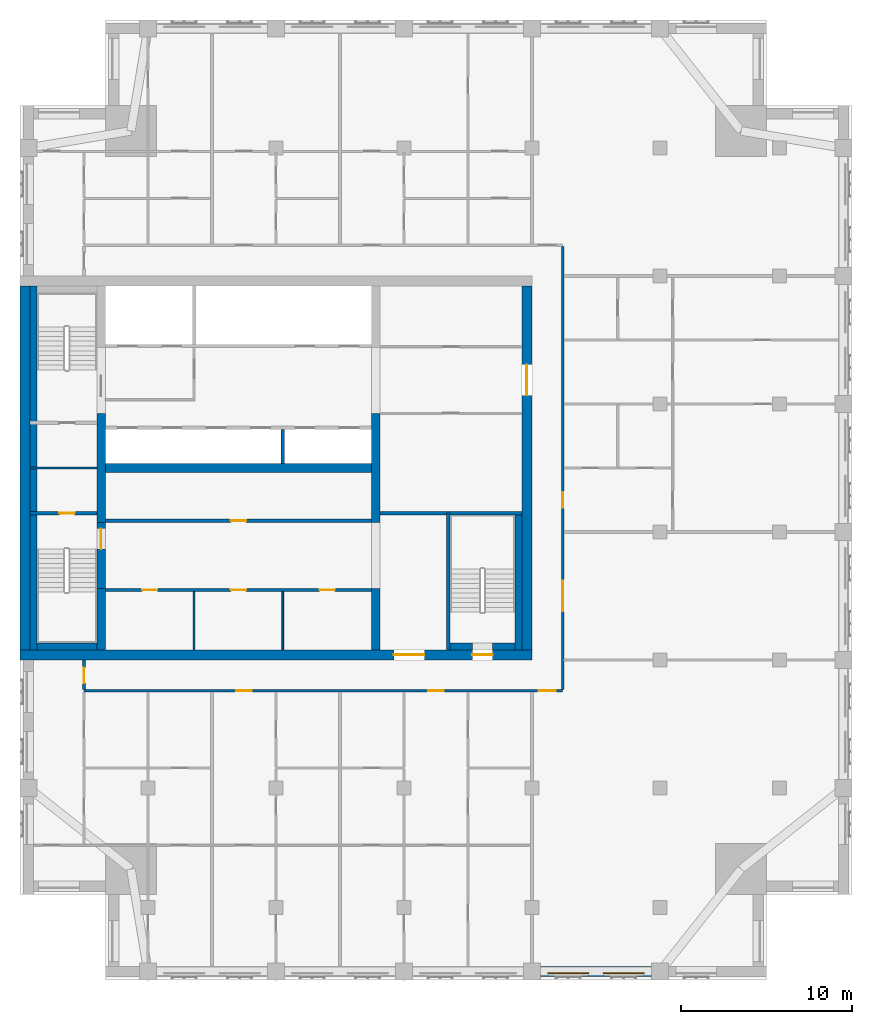
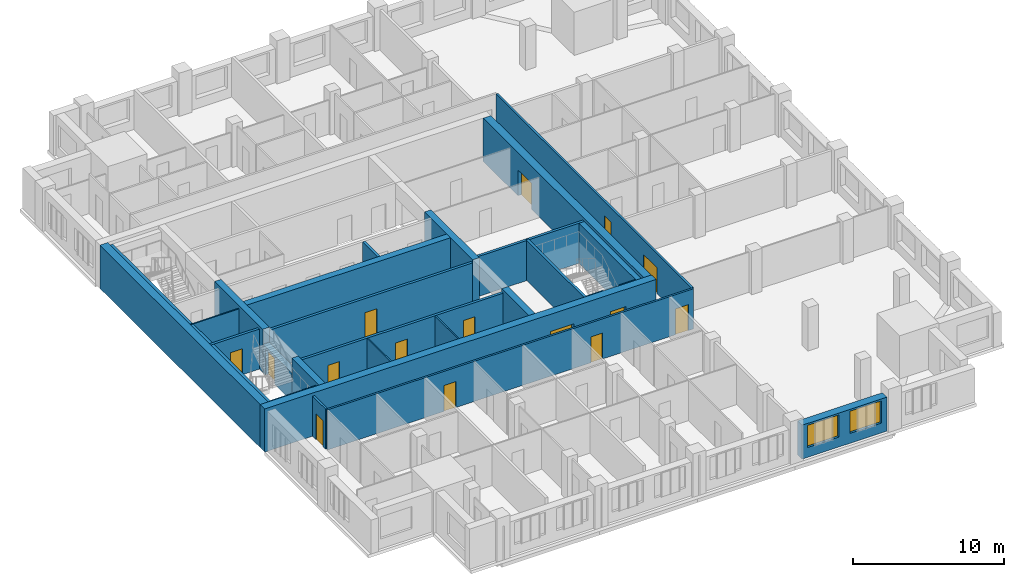
# One storey, part 4 of 10: 27 walls, 15 doors, 2 windows, 17 openings.
"""IFC4 building model written with IfcOpenShell, lengths in metres."""

import ifcopenshell
import ifcopenshell.guid

model = None  # the IFC model being written
_history = None  # IfcOwnerHistory: only IFC2X3 demands one
_inside = {}  # id of a spatial element -> (the spatial element, [elements in it])
_under = {}  # id of a project, library or spatial element -> (it, [spatial elements below it])
_declared = {}  # id of a project -> (the project, [libraries it declares])
_typed = {}  # id of a type object -> (the type object, [elements of that type])
_made_of = {}  # id of a material, layer set ... -> (it, [elements and type objects made of it])


def new_model(schema):
    """Start an empty IFC model of exactly this schema.

    Asked for "IFC4X3", IfcOpenShell would pick the latest addendum, in which some entities
    have other attributes; the version numbers below select the first issue.
    IFC2X3 requires an IfcOwnerHistory on every rooted entity: one is made here for all.
    """
    global model, _history
    if schema == "IFC4X3":
        model = ifcopenshell.file(schema_version=(4, 3, 0, 0))
    else:
        model = ifcopenshell.file(schema=schema)
    _inside.clear()
    _under.clear()
    _declared.clear()
    _typed.clear()
    _made_of.clear()
    _history = None
    if model.schema == "IFC2X3":
        org = make("IfcOrganization", Name="unknown")
        user = make(
            "IfcPersonAndOrganization",
            ThePerson=make("IfcPerson", FamilyName="unknown"),
            TheOrganization=org,
        )
        app = make(
            "IfcApplication",
            ApplicationDeveloper=org,
            Version="unknown",
            ApplicationFullName="unknown",
            ApplicationIdentifier="unknown",
        )
        _history = make(
            "IfcOwnerHistory",
            OwningUser=user,
            OwningApplication=app,
            ChangeAction="ADDED",
            CreationDate=0,
        )
    return model


def make(cls, **values):
    """One entity of the class cls with the attributes given. An attribute that is None is left unset."""
    return model.create_entity(
        cls, **{name: value for name, value in values.items() if value is not None}
    )


def rooted(cls, **values):
    """An entity with a GlobalId (a new one), such as an element, a storey or a relation."""
    return make(cls, GlobalId=ifcopenshell.guid.new(), OwnerHistory=_history, **values)


def si_unit(unit_type, name, prefix=None):
    """IfcSIUnit, for example si_unit("LENGTHUNIT", "METRE", prefix="MILLI")."""
    return make("IfcSIUnit", UnitType=unit_type, Prefix=prefix, Name=name)


def assignment(units):
    """IfcUnitAssignment: the units of a project."""
    return None if units is None else make("IfcUnitAssignment", Units=units)


def point(xyz):
    """IfcCartesianPoint."""
    return None if xyz is None else make("IfcCartesianPoint", Coordinates=xyz)


def direction(xyz):
    """IfcDirection."""
    return None if xyz is None else make("IfcDirection", DirectionRatios=xyz)


def frame(location, z_axis=None, x_axis=None):
    """IfcAxis2Placement3D, a coordinate frame: its origin and axes. An axis left out is left unset."""
    return make(
        "IfcAxis2Placement3D",
        Location=point(location),
        Axis=direction(z_axis),
        RefDirection=direction(x_axis),
    )


def frame_2d(location, x_axis=None):
    """IfcAxis2Placement2D, a coordinate frame in the plane: its origin and x axis."""
    return make(
        "IfcAxis2Placement2D", Location=point(location), RefDirection=direction(x_axis)
    )


def origin():
    """The frame at (0, 0, 0) with its axes left unset."""
    return frame((0.0, 0.0, 0.0))


def place(relative_to, where):
    """IfcLocalPlacement: puts the frame where relative to a parent placement (None: the world)."""
    return make(
        "IfcLocalPlacement", PlacementRelTo=relative_to, RelativePlacement=where
    )


def context(
    kind, dimensions, precision=None, world=None, true_north=None, identifier=None
):
    """IfcGeometricRepresentationContext, for example the 3D "Model" context."""
    return make(
        "IfcGeometricRepresentationContext",
        ContextIdentifier=identifier,
        ContextType=kind,
        CoordinateSpaceDimension=dimensions,
        Precision=precision,
        WorldCoordinateSystem=world,
        TrueNorth=true_north,
    )


def subcontext(parent, identifier, kind, view, scale=None):
    """IfcGeometricRepresentationSubContext, for example "Body" below "Model"."""
    return make(
        "IfcGeometricRepresentationSubContext",
        ContextIdentifier=identifier,
        ContextType=kind,
        ParentContext=parent,
        TargetScale=scale,
        TargetView=view,
    )


def project(units=None, contexts=None):
    """IfcProject with its units and contexts."""
    return rooted(
        "IfcProject",
        Name="project",
        RepresentationContexts=contexts,
        UnitsInContext=assignment(units),
    )


def spatial(cls, under=None, at=None, **own):
    """A site, building, storey or space (cls), placed at a placement, below another one or the project."""
    s = rooted(cls, ObjectPlacement=at, **own)
    if under is not None:
        _under.setdefault(under.id(), (under, []))[1].append(s)
    return s


def profile(cls, at=None, kind="AREA", **sizes):
    """A parametric profile (cls). Its sizes go by their IFC names, for example OverallWidth=200.0."""
    return make(cls, ProfileType=kind, Position=at, **sizes)


def rectangle(**sizes):
    """IfcRectangleProfileDef."""
    return profile("IfcRectangleProfileDef", **sizes)


def extrude(swept, where, along, depth):
    """IfcExtrudedAreaSolid: the profile swept, set in the frame where, extruded along a direction by depth."""
    return make(
        "IfcExtrudedAreaSolid",
        SweptArea=swept,
        Position=where,
        ExtrudedDirection=direction(along),
        Depth=depth,
    )


def shape(context_of_items, identifier, shape_type, items):
    """IfcShapeRepresentation: the items that make up one representation, for example the "Body"."""
    return make(
        "IfcShapeRepresentation",
        ContextOfItems=context_of_items,
        RepresentationIdentifier=identifier,
        RepresentationType=shape_type,
        Items=items,
    )


def material(Name=None, Category=None):
    """IfcMaterial."""
    return make("IfcMaterial", Name=Name, Category=Category)


def layer(
    of_material, thickness, ventilated=None, Name=None, Category=None, Priority=None
):
    """IfcMaterialLayer: one layer of a wall or slab, of a material (None: an air gap)."""
    return make(
        "IfcMaterialLayer",
        Material=of_material,
        LayerThickness=thickness,
        IsVentilated=ventilated,
        Name=Name,
        Category=Category,
        Priority=Priority,
    )


def layer_set(layers, Name=None):
    """IfcMaterialLayerSet."""
    return make("IfcMaterialLayerSet", MaterialLayers=layers, LayerSetName=Name)


def made_of(thing, what):
    """Note that an element or type object is made of a material, layer set ...; save() writes the relation."""
    if what is not None:
        _made_of.setdefault(what.id(), (what, []))[1].append(thing)
    return thing


def type_object(cls, material=None, **own):
    """A type object (cls), such as IfcWallType, which elements share."""
    return made_of(rooted(cls, **own), material)


def element(
    cls,
    number,
    at=None,
    inside=None,
    cuts=None,
    type_object=None,
    material=None,
    context=None,
    identifier="Body",
    shape_type=None,
    held_by="IfcProductDefinitionShape",
    body=None,
    shapes=None,
    **own,
):
    """One element of the class cls, such as IfcWall. Its Tag is "e" and its number.

    at: its placement. inside: the storey or other place that contains it. cuts: it is an
    opening in that element (IfcRelVoidsElement). A single representation is given by context,
    identifier, shape_type and body (its items); several are given by shapes. held_by: the class
    of the entity that holds the representations. save() writes the other relations.
    """
    e = rooted(cls, Tag="e%d" % number, ObjectPlacement=at, **own)
    if body is not None:
        shapes = [shape(context, identifier, shape_type, body)]
    if shapes is not None:
        e.Representation = make(held_by, Representations=shapes)
    if inside is not None:
        _inside.setdefault(inside.id(), (inside, []))[1].append(e)
    if cuts is not None:
        rooted(
            "IfcRelVoidsElement", RelatingBuildingElement=cuts, RelatedOpeningElement=e
        )
    if type_object is not None:
        _typed.setdefault(type_object.id(), (type_object, []))[1].append(e)
    return made_of(e, material)


def fill(opening, filler):
    """IfcRelFillsElement: the door or window that sits in an opening."""
    return rooted(
        "IfcRelFillsElement",
        RelatingOpeningElement=opening,
        RelatedBuildingElement=filler,
    )


def aggregate(whole, parts):
    """IfcRelAggregates: a whole, such as a stair, and the parts it consists of."""
    return rooted("IfcRelAggregates", RelatingObject=whole, RelatedObjects=parts)


def save(model, path):
    """Write the relations noted so far, then the file.

    IfcRelAggregates (storeys below a building ...), IfcRelContainedInSpatialStructure (elements
    in a storey), IfcRelDefinesByType, IfcRelAssociatesMaterial and IfcRelDeclares: one each for
    every whole, place, type object, material and project.
    """
    for whole, parts in _under.values():
        aggregate(whole, parts)
    for where, things in _inside.values():
        rooted(
            "IfcRelContainedInSpatialStructure",
            RelatedElements=things,
            RelatingStructure=where,
        )
    for kind, things in _typed.values():
        rooted("IfcRelDefinesByType", RelatedObjects=things, RelatingType=kind)
    for what, things in _made_of.values():
        rooted("IfcRelAssociatesMaterial", RelatedObjects=things, RelatingMaterial=what)
    for by, libraries in _declared.values():
        rooted("IfcRelDeclares", RelatingContext=by, RelatedDefinitions=libraries)
    model.write(path)


model = new_model("IFC4")

# Units and contexts
model_context = context("Model", 3, precision=1e-05, world=origin(), true_north=direction((0.0, 1.0)))
body_context = subcontext(model_context, "Body", "Model", "MODEL_VIEW")
ifc_project = project(units=[si_unit("LENGTHUNIT", "METRE"), si_unit("AREAUNIT", "SQUARE_METRE"), si_unit("VOLUMEUNIT", "CUBIC_METRE"), si_unit("PLANEANGLEUNIT", "RADIAN"), si_unit("MASSUNIT", "GRAM", prefix="KILO")], contexts=[model_context])

# Site, building, storey
site_placement = place(None, origin())
site = spatial("IfcSite", under=ifc_project, at=site_placement, CompositionType="ELEMENT")
building_placement = place(site_placement, origin())
building = spatial("IfcBuilding", under=site, at=building_placement, Name="Tamorin Gate", CompositionType="ELEMENT")
storey_placement = place(building_placement, frame((0.0, 0.0, 251.199951171875)))
storey = spatial("IfcBuildingStorey", under=building, at=storey_placement, Name="L63", CompositionType="ELEMENT", Elevation=251.199951171875)

# Wall, openings, windows
ifc_material_1 = material(Name="Precast concrete C40/50", Category="concrete")
ifc_layer_1 = layer(ifc_material_1, 0.60009765625)
ifc_layer_set_1 = layer_set([ifc_layer_1], Name="Precast concrete C40/50")
wall_type_1 = type_object("IfcWallType", Name="Board-marked concrete facade panel 600", PredefinedType="SOLIDWALL", material=ifc_layer_set_1)
wall_1_placement = place(storey_placement, frame((60.5, 41.75, 0.0), z_axis=(0.0, 0.0, 1.0), x_axis=(1.0, 0.0, 0.0)))
wall_1 = element("IfcWall", 1, at=wall_1_placement, inside=storey, type_object=wall_type_1, Name="Facade panel", PredefinedType="SOLIDWALL", context=body_context, shape_type="SweptSolid", body=[
    extrude(rectangle(XDim=6.5, YDim=0.60009765625, at=frame_2d((3.25, 0.0))), origin(), (0.0, 0.0, 1.0), 2.75),
])
opening_1_placement = place(wall_1_placement, frame((0.425048828125, 0.0, 0.800048828125)))
opening_1 = element("IfcOpeningElement", 2, at=opening_1_placement, cuts=wall_1, Name="Opening WN1", PredefinedType="OPENING", context=body_context, shape_type="SweptSolid", body=[
    extrude(rectangle(XDim=2.39990234375, YDim=1.800048828125, at=frame_2d((1.199951171875, 0.89990234375))), frame((0.0, 0.31005859375, 0.0), z_axis=(0.0, -1.0, 0.0), x_axis=(1.0, 0.0, 0.0)), (0.0, 0.0, 1.0), 0.6201171875),
])
opening_2_placement = place(wall_1_placement, frame((3.675048828125, 0.0, 0.800048828125)))
opening_2 = element("IfcOpeningElement", 3, at=opening_2_placement, cuts=wall_1, Name="Opening WN1", PredefinedType="OPENING", context=body_context, shape_type="SweptSolid", body=[
    extrude(rectangle(XDim=2.39990234375, YDim=1.800048828125, at=frame_2d((1.199951171875, 0.89990234375))), frame((0.0, 0.31005859375, 0.0), z_axis=(0.0, -1.0, 0.0), x_axis=(1.0, 0.0, 0.0)), (0.0, 0.0, 1.0), 0.6201171875),
])
ifc_material_2 = material(Name="Clear glass in aluminium frame", Category="aluminium")
window_type = type_object("IfcWindowType", Name="Deep-set window 2400x1800", PartitioningType="SINGLE_PANEL", PredefinedType="WINDOW", material=ifc_material_2)
window_1_placement = place(opening_1_placement, origin())
window_1 = element("IfcWindow", 4, at=window_1_placement, inside=storey, type_object=window_type, Name="Deep-set window", OverallHeight=1.800048828125, OverallWidth=2.39990234375, PartitioningType="SINGLE_PANEL", PredefinedType="WINDOW", context=body_context, shape_type="SweptSolid", body=[
    extrude(rectangle(XDim=2.39990234375, YDim=1.800048828125, at=frame_2d((1.199951171875, 0.89990234375))), frame((0.0, -0.070068359375, 0.0), z_axis=(0.0, -1.0, 0.0), x_axis=(1.0, 0.0, 0.0)), (0.0, 0.0, 1.0), 0.06005859375),
])
fill(opening_1, window_1)
window_2_placement = place(opening_2_placement, origin())
window_2 = element("IfcWindow", 5, at=window_2_placement, inside=storey, type_object=window_type, Name="Deep-set window", OverallHeight=1.800048828125, OverallWidth=2.39990234375, PartitioningType="SINGLE_PANEL", PredefinedType="WINDOW", context=body_context, shape_type="SweptSolid", body=[
    extrude(rectangle(XDim=2.39990234375, YDim=1.800048828125, at=frame_2d((1.199951171875, 0.89990234375))), frame((0.0, -0.070068359375, 0.0), z_axis=(0.0, -1.0, 0.0), x_axis=(1.0, 0.0, 0.0)), (0.0, 0.0, 1.0), 0.06005859375),
])
fill(opening_2, window_2)

# Wall, openings, doors
ifc_material_3 = material(Name="Gypsum board partition")
ifc_layer_2 = layer(ifc_material_3, 0.14990234375)
ifc_layer_set_2 = layer_set([ifc_layer_2], Name="Corridor wall 150")
wall_type_2 = type_object("IfcWallType", Name="Corridor wall 150", PredefinedType="PARTITIONING", material=ifc_layer_set_2)
wall_2_placement = place(storey_placement, frame((33.75, 58.199951171875, 0.0), z_axis=(0.0, 0.0, 1.0), x_axis=(1.0, 0.0, 0.0)))
wall_2 = element("IfcWall", 6, at=wall_2_placement, inside=storey, type_object=wall_type_2, Name="Corridor wall 150", PredefinedType="PARTITIONING", context=body_context, shape_type="SweptSolid", body=[
    extrude(rectangle(XDim=28.050048828125, YDim=0.14990234375, at=frame_2d((14.02490234375, 0.0))), origin(), (0.0, 0.0, 1.0), 3.25),
])
opening_3_placement = place(wall_2_placement, frame((8.925048828125, 0.0, 0.0)))
opening_3 = element("IfcOpeningElement", 7, at=opening_3_placement, cuts=wall_2, Name="Opening DR5008", PredefinedType="OPENING", context=body_context, shape_type="SweptSolid", body=[
    extrude(rectangle(XDim=0.89990234375, YDim=2.10009765625, at=frame_2d((0.449951171875, 1.050048828125))), frame((0.0, 0.0849609375, 0.0), z_axis=(0.0, -1.0, 0.0), x_axis=(1.0, 0.0, 0.0)), (0.0, 0.0, 1.0), 0.169921875),
])
opening_4_placement = place(wall_2_placement, frame((20.175048828125, 0.0, 0.0)))
opening_4 = element("IfcOpeningElement", 8, at=opening_4_placement, cuts=wall_2, Name="Opening DR5015", PredefinedType="OPENING", context=body_context, shape_type="SweptSolid", body=[
    extrude(rectangle(XDim=0.89990234375, YDim=2.10009765625, at=frame_2d((0.449951171875, 1.050048828125))), frame((0.0, 0.0849609375, 0.0), z_axis=(0.0, -1.0, 0.0), x_axis=(1.0, 0.0, 0.0)), (0.0, 0.0, 1.0), 0.169921875),
])
opening_5_placement = place(wall_2_placement, frame((26.64990234375, 0.0, 0.0)))
opening_5 = element("IfcOpeningElement", 9, at=opening_5_placement, cuts=wall_2, Name="Opening DR5021", PredefinedType="OPENING", context=body_context, shape_type="SweptSolid", body=[
    extrude(rectangle(XDim=1.0, YDim=2.10009765625, at=frame_2d((0.5, 1.050048828125))), frame((0.0, 0.0849609375, 0.0), z_axis=(0.0, -1.0, 0.0), x_axis=(1.0, 0.0, 0.0)), (0.0, 0.0, 1.0), 0.169921875),
])
ifc_material_4 = material(Name="Timber door leaf", Category="wood")
door_type_1 = type_object("IfcDoorType", Name="Door 1000 x 2100 FD30S", OperationType="NOTDEFINED", PredefinedType="DOOR", material=ifc_material_4)
door_1_placement = place(opening_5_placement, origin())
door_1 = element("IfcDoor", 10, at=door_1_placement, inside=storey, type_object=door_type_1, Name="Door DR5021", OperationType="SINGLE_SWING_RIGHT", OverallHeight=2.10009765625, OverallWidth=1.0, PredefinedType="DOOR", context=body_context, shape_type="SweptSolid", body=[
    extrude(rectangle(XDim=1.0, YDim=2.10009765625, at=frame_2d((0.5, 1.050048828125))), frame((0.0, 0.02490234375, 0.0), z_axis=(0.0, -1.0, 0.0), x_axis=(1.0, 0.0, 0.0)), (0.0, 0.0, 1.0), 0.050048828125),
])
fill(opening_5, door_1)
door_type_2 = type_object("IfcDoorType", Name="Door 900 x 2100 FD30S", OperationType="NOTDEFINED", PredefinedType="DOOR", material=ifc_material_4)
door_2_placement = place(opening_3_placement, origin())
door_2 = element("IfcDoor", 11, at=door_2_placement, inside=storey, type_object=door_type_2, Name="Door DR5008", OperationType="SINGLE_SWING_RIGHT", OverallHeight=2.10009765625, OverallWidth=0.89990234375, PredefinedType="DOOR", context=body_context, shape_type="SweptSolid", body=[
    extrude(rectangle(XDim=0.89990234375, YDim=2.10009765625, at=frame_2d((0.449951171875, 1.050048828125))), frame((0.0, 0.02490234375, 0.0), z_axis=(0.0, -1.0, 0.0), x_axis=(1.0, 0.0, 0.0)), (0.0, 0.0, 1.0), 0.050048828125),
])
fill(opening_3, door_2)
door_3_placement = place(opening_4_placement, origin())
door_3 = element("IfcDoor", 12, at=door_3_placement, inside=storey, type_object=door_type_2, Name="Door DR5015", OperationType="SINGLE_SWING_RIGHT", OverallHeight=2.10009765625, OverallWidth=0.89990234375, PredefinedType="DOOR", context=body_context, shape_type="SweptSolid", body=[
    extrude(rectangle(XDim=0.89990234375, YDim=2.10009765625, at=frame_2d((0.449951171875, 1.050048828125))), frame((0.0, 0.02490234375, 0.0), z_axis=(0.0, -1.0, 0.0), x_axis=(1.0, 0.0, 0.0)), (0.0, 0.0, 1.0), 0.050048828125),
])
fill(opening_4, door_3)

# Wall, opening, door
wall_3_placement = place(storey_placement, frame((33.75, 58.27490234375, 0.0), z_axis=(0.0, 0.0, 1.0), x_axis=(0.0, 1.0, 0.0)))
wall_3 = element("IfcWall", 13, at=wall_3_placement, inside=storey, type_object=wall_type_2, Name="Corridor wall 150", PredefinedType="PARTITIONING", context=body_context, shape_type="SweptSolid", body=[
    extrude(rectangle(XDim=1.72509765625, YDim=0.14990234375, at=frame_2d((0.862548828125, 0.0))), origin(), (0.0, 0.0, 1.0), 3.25),
])
opening_6_placement = place(wall_3_placement, frame((0.375, 0.0, 0.0)))
opening_6 = element("IfcOpeningElement", 14, at=opening_6_placement, cuts=wall_3, Name="Opening DR5001", PredefinedType="OPENING", context=body_context, shape_type="SweptSolid", body=[
    extrude(rectangle(XDim=0.89990234375, YDim=2.10009765625, at=frame_2d((0.449951171875, 1.050048828125))), frame((0.0, 0.0849609375, 0.0), z_axis=(0.0, -1.0, 0.0), x_axis=(1.0, 0.0, 0.0)), (0.0, 0.0, 1.0), 0.169921875),
])
door_4_placement = place(opening_6_placement, origin())
door_4 = element("IfcDoor", 15, at=door_4_placement, inside=storey, type_object=door_type_2, Name="Door DR5001", OperationType="SINGLE_SWING_RIGHT", OverallHeight=2.10009765625, OverallWidth=0.89990234375, PredefinedType="DOOR", context=body_context, shape_type="SweptSolid", body=[
    extrude(rectangle(XDim=0.89990234375, YDim=2.10009765625, at=frame_2d((0.449951171875, 1.050048828125))), frame((0.0, 0.02490234375, 0.0), z_axis=(0.0, -1.0, 0.0), x_axis=(1.0, 0.0, 0.0)), (0.0, 0.0, 1.0), 0.050048828125),
])
fill(opening_6, door_4)

# Wall, openings, doors
wall_4_placement = place(storey_placement, frame((61.800048828125, 58.27490234375, 0.0), z_axis=(0.0, 0.0, 1.0), x_axis=(0.0, 1.0, 0.0)))
wall_4 = element("IfcWall", 16, at=wall_4_placement, inside=storey, type_object=wall_type_2, Name="Corridor wall 150", PredefinedType="PARTITIONING", context=body_context, shape_type="SweptSolid", body=[
    extrude(rectangle(XDim=25.9501953125, YDim=0.14990234375, at=frame_2d((12.97509765625, 0.0))), origin(), (0.0, 0.0, 1.0), 3.25),
])
opening_7_placement = place(wall_4_placement, frame((4.574951171875, 0.0, 0.0)))
opening_7 = element("IfcOpeningElement", 17, at=opening_7_placement, cuts=wall_4, Name="Opening DR5041", PredefinedType="OPENING", context=body_context, shape_type="SweptSolid", body=[
    extrude(rectangle(XDim=1.800048828125, YDim=2.10009765625, at=frame_2d((0.89990234375, 1.050048828125))), frame((0.0, 0.0849609375, 0.0), z_axis=(0.0, -1.0, 0.0), x_axis=(1.0, 0.0, 0.0)), (0.0, 0.0, 1.0), 0.169921875),
])
opening_8_placement = place(wall_4_placement, frame((10.64990234375, 0.0, 0.0)))
opening_8 = element("IfcOpeningElement", 18, at=opening_8_placement, cuts=wall_4, Name="Opening DR5042", PredefinedType="OPENING", context=body_context, shape_type="SweptSolid", body=[
    extrude(rectangle(XDim=0.89990234375, YDim=2.10009765625, at=frame_2d((0.449951171875, 1.050048828125))), frame((0.0, 0.0849609375, 0.0), z_axis=(0.0, -1.0, 0.0), x_axis=(1.0, 0.0, 0.0)), (0.0, 0.0, 1.0), 0.169921875),
])
door_type_3 = type_object("IfcDoorType", Name="Door 1800 x 2100 FD30S", OperationType="DOUBLE_DOOR_SINGLE_SWING", PredefinedType="DOOR", material=ifc_material_4)
door_5_placement = place(opening_7_placement, origin())
door_5 = element("IfcDoor", 19, at=door_5_placement, inside=storey, type_object=door_type_3, Name="Door DR5041", OperationType="DOUBLE_DOOR_SINGLE_SWING", OverallHeight=2.10009765625, OverallWidth=1.800048828125, PredefinedType="DOOR", context=body_context, shape_type="SweptSolid", body=[
    extrude(rectangle(XDim=1.800048828125, YDim=2.10009765625, at=frame_2d((0.89990234375, 1.050048828125))), frame((0.0, 0.02490234375, 0.0), z_axis=(0.0, -1.0, 0.0), x_axis=(1.0, 0.0, 0.0)), (0.0, 0.0, 1.0), 0.050048828125),
])
fill(opening_7, door_5)
door_6_placement = place(opening_8_placement, origin())
door_6 = element("IfcDoor", 20, at=door_6_placement, inside=storey, type_object=door_type_2, Name="Door DR5042", OperationType="SINGLE_SWING_RIGHT", OverallHeight=2.10009765625, OverallWidth=0.89990234375, PredefinedType="DOOR", context=body_context, shape_type="SweptSolid", body=[
    extrude(rectangle(XDim=0.89990234375, YDim=2.10009765625, at=frame_2d((0.449951171875, 1.050048828125))), frame((0.0, 0.02490234375, 0.0), z_axis=(0.0, -1.0, 0.0), x_axis=(1.0, 0.0, 0.0)), (0.0, 0.0, 1.0), 0.050048828125),
])
fill(opening_8, door_6)

# Walls
ifc_material_5 = material(Name="Concrete C32/40", Category="concrete")
ifc_layer_3 = layer(ifc_material_5, 0.199951171875)
ifc_layer_set_3 = layer_set([ifc_layer_3], Name="Lift shaft wall 200 EI 120")
wall_type_3 = type_object("IfcWallType", Name="Lift shaft wall 200 EI 120", PredefinedType="SOLIDWALL", material=ifc_layer_set_3)
wall_5_placement = place(storey_placement, frame((45.39990234375, 71.5, 0.0), z_axis=(0.0, 0.0, 1.0), x_axis=(0.0, 1.0, 0.0)))
element("IfcWall", 21, at=wall_5_placement, inside=storey, type_object=wall_type_3, Name="Lift shaft wall", PredefinedType="SOLIDWALL", context=body_context, shape_type="SweptSolid", body=[
    extrude(rectangle(XDim=2.0, YDim=0.199951171875, at=frame_2d((1.0, 0.0))), origin(), (0.0, 0.0, 1.0), 3.5),
])
ifc_material_6 = material(Name="Concrete C50/60", Category="concrete")
ifc_layer_4 = layer(ifc_material_6, 0.5)
ifc_layer_set_4 = layer_set([ifc_layer_4], Name="RC core internal wall 500 C50/60")
wall_type_4 = type_object("IfcWallType", Name="RC core internal wall 500 C50/60", PredefinedType="SHEAR", material=ifc_layer_set_4)
wall_6_placement = place(storey_placement, frame((35.0, 71.25, 0.0), z_axis=(0.0, 0.0, 1.0), x_axis=(1.0, 0.0, 0.0)))
element("IfcWall", 22, at=wall_6_placement, inside=storey, type_object=wall_type_4, Name="Core spine wall L63", PredefinedType="SHEAR", context=body_context, shape_type="SweptSolid", body=[
    extrude(rectangle(XDim=15.60009765625, YDim=0.5, at=frame_2d((7.800048828125, 0.0))), origin(), (0.0, 0.0, 1.0), 3.5),
])
wall_7_placement = place(storey_placement, frame((34.75, 60.60009765625, 0.0), z_axis=(0.0, 0.0, 1.0), x_axis=(0.0, 1.0, 0.0)))
element("IfcWall", 23, at=wall_7_placement, inside=storey, type_object=wall_type_4, Name="Core cross wall L63", PredefinedType="SHEAR", context=body_context, shape_type="SweptSolid", body=[
    extrude(rectangle(XDim=3.599853515625, YDim=0.5, at=frame_2d((1.7998046875, 0.0))), origin(), (0.0, 0.0, 1.0), 3.5),
])
wall_8_placement = place(storey_placement, frame((34.75, 68.050048828125, 0.0), z_axis=(0.0, 0.0, 1.0), x_axis=(0.0, 1.0, 0.0)))
element("IfcWall", 24, at=wall_8_placement, inside=storey, type_object=wall_type_4, Name="Core cross wall L63", PredefinedType="SHEAR", context=body_context, shape_type="SweptSolid", body=[
    extrude(rectangle(XDim=6.39990234375, YDim=0.5, at=frame_2d((3.199951171875, 0.0))), origin(), (0.0, 0.0, 1.0), 3.5),
])
wall_9_placement = place(storey_placement, frame((50.85009765625, 60.60009765625, 0.0), z_axis=(0.0, 0.0, 1.0), x_axis=(0.0, 1.0, 0.0)))
element("IfcWall", 25, at=wall_9_placement, inside=storey, type_object=wall_type_4, Name="Core cross wall L63", PredefinedType="SHEAR", context=body_context, shape_type="SweptSolid", body=[
    extrude(rectangle(XDim=3.599853515625, YDim=0.5, at=frame_2d((1.7998046875, 0.0))), origin(), (0.0, 0.0, 1.0), 3.5),
])
wall_10_placement = place(storey_placement, frame((50.85009765625, 68.050048828125, 0.0), z_axis=(0.0, 0.0, 1.0), x_axis=(0.0, 1.0, 0.0)))
element("IfcWall", 26, at=wall_10_placement, inside=storey, type_object=wall_type_4, Name="Core cross wall L63", PredefinedType="SHEAR", context=body_context, shape_type="SweptSolid", body=[
    extrude(rectangle(XDim=6.39990234375, YDim=0.5, at=frame_2d((3.199951171875, 0.0))), origin(), (0.0, 0.0, 1.0), 3.5),
])

# Wall, openings, doors
ifc_layer_5 = layer(ifc_material_6, 0.60009765625)
ifc_layer_set_5 = layer_set([ifc_layer_5], Name="RC core wall 600 C50/60")
wall_type_5 = type_object("IfcWallType", Name="RC core wall 600 C50/60", PredefinedType="SHEAR", material=ifc_layer_set_5)
wall_11_placement = place(storey_placement, frame((30.0, 60.300048828125, 0.0), z_axis=(0.0, 0.0, 1.0), x_axis=(1.0, 0.0, 0.0)))
wall_11 = element("IfcWall", 27, at=wall_11_placement, inside=storey, type_object=wall_type_5, Name="Core wall L63", PredefinedType="SHEAR", context=body_context, shape_type="SweptSolid", body=[
    extrude(rectangle(XDim=30.0, YDim=0.60009765625, at=frame_2d((15.0, 0.0))), origin(), (0.0, 0.0, 1.0), 3.5),
])
opening_9_placement = place(wall_11_placement, frame((21.89990234375, 0.0, 0.0)))
opening_9 = element("IfcOpeningElement", 28, at=opening_9_placement, cuts=wall_11, Name="Opening DE1", PredefinedType="OPENING", context=body_context, shape_type="SweptSolid", body=[
    extrude(rectangle(XDim=1.800048828125, YDim=2.10009765625, at=frame_2d((0.89990234375, 1.050048828125))), frame((0.0, 0.31005859375, 0.0), z_axis=(0.0, -1.0, 0.0), x_axis=(1.0, 0.0, 0.0)), (0.0, 0.0, 1.0), 0.6201171875),
])
opening_10_placement = place(wall_11_placement, frame((26.5, 0.0, 0.0)))
opening_10 = element("IfcOpeningElement", 29, at=opening_10_placement, cuts=wall_11, Name="Opening DS1", PredefinedType="OPENING", context=body_context, shape_type="SweptSolid", body=[
    extrude(rectangle(XDim=1.199951171875, YDim=2.10009765625, at=frame_2d((0.60009765625, 1.050048828125))), frame((0.0, 0.31005859375, 0.0), z_axis=(0.0, -1.0, 0.0), x_axis=(1.0, 0.0, 0.0)), (0.0, 0.0, 1.0), 0.6201171875),
])
ifc_material_7 = material(Name="Steel fire door", Category="steel")
door_type_4 = type_object("IfcDoorType", Name="Lobby exit double door 1800 x 2100 EI 60", OperationType="DOUBLE_DOOR_SINGLE_SWING", PredefinedType="DOOR", material=ifc_material_7)
door_7_placement = place(opening_9_placement, origin())
door_7 = element("IfcDoor", 30, at=door_7_placement, inside=storey, type_object=door_type_4, Name="Lift lobby A exit door", OperationType="DOUBLE_DOOR_SINGLE_SWING", OverallHeight=2.10009765625, OverallWidth=1.800048828125, PredefinedType="DOOR", context=body_context, shape_type="SweptSolid", body=[
    extrude(rectangle(XDim=1.800048828125, YDim=2.10009765625, at=frame_2d((0.89990234375, 1.050048828125))), frame((0.0, 0.02490234375, 0.0), z_axis=(0.0, -1.0, 0.0), x_axis=(1.0, 0.0, 0.0)), (0.0, 0.0, 1.0), 0.050048828125),
])
fill(opening_9, door_7)
door_type_5 = type_object("IfcDoorType", Name="Stair door 1200 x 2100 EI 90", OperationType="SINGLE_SWING_LEFT", PredefinedType="DOOR", material=ifc_material_7)
door_8_placement = place(opening_10_placement, origin())
door_8 = element("IfcDoor", 31, at=door_8_placement, inside=storey, type_object=door_type_5, Name="ST3 door", OperationType="SINGLE_SWING_LEFT", OverallHeight=2.10009765625, OverallWidth=1.199951171875, PredefinedType="DOOR", context=body_context, shape_type="SweptSolid", body=[
    extrude(rectangle(XDim=1.199951171875, YDim=2.10009765625, at=frame_2d((0.60009765625, 1.050048828125))), frame((0.0, 0.02490234375, 0.0), z_axis=(0.0, -1.0, 0.0), x_axis=(1.0, 0.0, 0.0)), (0.0, 0.0, 1.0), 0.050048828125),
])
fill(opening_10, door_8)

# Wall
wall_12_placement = place(storey_placement, frame((30.300048828125, 60.60009765625, 0.0), z_axis=(0.0, 0.0, 1.0), x_axis=(0.0, 1.0, 0.0)))
element("IfcWall", 32, at=wall_12_placement, inside=storey, type_object=wall_type_5, Name="Core wall L63", PredefinedType="SHEAR", context=body_context, shape_type="SweptSolid", body=[
    extrude(rectangle(XDim=21.2998046875, YDim=0.60009765625, at=frame_2d((10.64990234375, 0.0))), origin(), (0.0, 0.0, 1.0), 3.5),
])

# Wall, opening, door
wall_13_placement = place(storey_placement, frame((59.699951171875, 60.60009765625, 0.0), z_axis=(0.0, 0.0, 1.0), x_axis=(0.0, 1.0, 0.0)))
wall_13 = element("IfcWall", 33, at=wall_13_placement, inside=storey, type_object=wall_type_5, Name="Core wall L63", PredefinedType="SHEAR", context=body_context, shape_type="SweptSolid", body=[
    extrude(rectangle(XDim=21.2998046875, YDim=0.60009765625, at=frame_2d((10.64990234375, 0.0))), origin(), (0.0, 0.0, 1.0), 3.5),
])
opening_11_placement = place(wall_13_placement, frame((14.89990234375, 0.0, 0.0)))
opening_11 = element("IfcOpeningElement", 34, at=opening_11_placement, cuts=wall_13, Name="Opening DE1", PredefinedType="OPENING", context=body_context, shape_type="SweptSolid", body=[
    extrude(rectangle(XDim=1.800048828125, YDim=2.10009765625, at=frame_2d((0.89990234375, 1.050048828125))), frame((0.0, 0.31005859375, 0.0), z_axis=(0.0, -1.0, 0.0), x_axis=(1.0, 0.0, 0.0)), (0.0, 0.0, 1.0), 0.6201171875),
])
door_9_placement = place(opening_11_placement, origin())
door_9 = element("IfcDoor", 35, at=door_9_placement, inside=storey, type_object=door_type_4, Name="Lift lobby B exit door", OperationType="DOUBLE_DOOR_SINGLE_SWING", OverallHeight=2.10009765625, OverallWidth=1.800048828125, PredefinedType="DOOR", context=body_context, shape_type="SweptSolid", body=[
    extrude(rectangle(XDim=1.800048828125, YDim=2.10009765625, at=frame_2d((0.89990234375, 1.050048828125))), frame((0.0, 0.02490234375, 0.0), z_axis=(0.0, -1.0, 0.0), x_axis=(1.0, 0.0, 0.0)), (0.0, 0.0, 1.0), 0.050048828125),
])
fill(opening_11, door_9)

# Wall
ifc_material_8 = material(Name="Fire-rated gypsum board partition")
ifc_layer_6 = layer(ifc_material_8, 0.10009765625)
ifc_layer_set_6 = layer_set([ifc_layer_6], Name="Riser partition 100 EI 120")
wall_type_6 = type_object("IfcWallType", Name="Riser partition 100 EI 120", PredefinedType="PARTITIONING", material=ifc_layer_set_6)
wall_14_placement = place(storey_placement, frame((30.60009765625, 71.25, 0.0), z_axis=(0.0, 0.0, 1.0), x_axis=(1.0, 0.0, 0.0)))
element("IfcWall", 36, at=wall_14_placement, inside=storey, type_object=wall_type_6, Name="Riser partition", PredefinedType="PARTITIONING", context=body_context, shape_type="SweptSolid", body=[
    extrude(rectangle(XDim=3.89990234375, YDim=0.10009765625, at=frame_2d((1.949951171875, 0.0))), origin(), (0.0, 0.0, 1.0), 3.25),
])

# Wall, openings, doors
ifc_layer_7 = layer(ifc_material_3, 0.199951171875)
ifc_layer_set_7 = layer_set([ifc_layer_7], Name="Service room face wall 200 EI 60")
wall_type_7 = type_object("IfcWallType", Name="Service room face wall 200 EI 60", PredefinedType="PARTITIONING", material=ifc_layer_set_7)
wall_15_placement = place(storey_placement, frame((35.0, 64.10009765625, 0.0), z_axis=(0.0, 0.0, 1.0), x_axis=(1.0, 0.0, 0.0)))
wall_15 = element("IfcWall", 37, at=wall_15_placement, inside=storey, type_object=wall_type_7, Name="Service room face wall", PredefinedType="PARTITIONING", context=body_context, shape_type="SweptSolid", body=[
    extrude(rectangle(XDim=15.60009765625, YDim=0.199951171875, at=frame_2d((7.800048828125, 0.0))), origin(), (0.0, 0.0, 1.0), 3.25),
])
opening_12_placement = place(wall_15_placement, frame((2.14990234375, 0.0, 0.0)))
opening_12 = element("IfcOpeningElement", 38, at=opening_12_placement, cuts=wall_15, Name="Opening DK1", PredefinedType="OPENING", context=body_context, shape_type="SweptSolid", body=[
    extrude(rectangle(XDim=0.89990234375, YDim=2.10009765625, at=frame_2d((0.449951171875, 1.050048828125))), frame((0.0, 0.10986328125, 0.0), z_axis=(0.0, -1.0, 0.0), x_axis=(1.0, 0.0, 0.0)), (0.0, 0.0, 1.0), 0.219970703125),
])
opening_13_placement = place(wall_15_placement, frame((7.35009765625, 0.0, 0.0)))
opening_13 = element("IfcOpeningElement", 39, at=opening_13_placement, cuts=wall_15, Name="Opening DK1", PredefinedType="OPENING", context=body_context, shape_type="SweptSolid", body=[
    extrude(rectangle(XDim=0.89990234375, YDim=2.10009765625, at=frame_2d((0.449951171875, 1.050048828125))), frame((0.0, 0.10986328125, 0.0), z_axis=(0.0, -1.0, 0.0), x_axis=(1.0, 0.0, 0.0)), (0.0, 0.0, 1.0), 0.219970703125),
])
opening_14_placement = place(wall_15_placement, frame((12.550048828125, 0.0, 0.0)))
opening_14 = element("IfcOpeningElement", 40, at=opening_14_placement, cuts=wall_15, Name="Opening DK1", PredefinedType="OPENING", context=body_context, shape_type="SweptSolid", body=[
    extrude(rectangle(XDim=0.89990234375, YDim=2.10009765625, at=frame_2d((0.449951171875, 1.050048828125))), frame((0.0, 0.10986328125, 0.0), z_axis=(0.0, -1.0, 0.0), x_axis=(1.0, 0.0, 0.0)), (0.0, 0.0, 1.0), 0.219970703125),
])
ifc_material_9 = material(Name="Timber fire door", Category="wood")
door_type_6 = type_object("IfcDoorType", Name="Service room door 900 x 2100 EI 60", OperationType="SINGLE_SWING_LEFT", PredefinedType="DOOR", material=ifc_material_9)
door_10_placement = place(opening_12_placement, origin())
door_10 = element("IfcDoor", 41, at=door_10_placement, inside=storey, type_object=door_type_6, Name="Door Valet room", OperationType="SINGLE_SWING_LEFT", OverallHeight=2.10009765625, OverallWidth=0.89990234375, PredefinedType="DOOR", context=body_context, shape_type="SweptSolid", body=[
    extrude(rectangle(XDim=0.89990234375, YDim=2.10009765625, at=frame_2d((0.449951171875, 1.050048828125))), frame((0.0, 0.02490234375, 0.0), z_axis=(0.0, -1.0, 0.0), x_axis=(1.0, 0.0, 0.0)), (0.0, 0.0, 1.0), 0.050048828125),
])
fill(opening_12, door_10)
door_11_placement = place(opening_13_placement, origin())
door_11 = element("IfcDoor", 42, at=door_11_placement, inside=storey, type_object=door_type_6, Name="Door Luggage store", OperationType="SINGLE_SWING_RIGHT", OverallHeight=2.10009765625, OverallWidth=0.89990234375, PredefinedType="DOOR", context=body_context, shape_type="SweptSolid", body=[
    extrude(rectangle(XDim=0.89990234375, YDim=2.10009765625, at=frame_2d((0.449951171875, 1.050048828125))), frame((0.0, 0.02490234375, 0.0), z_axis=(0.0, -1.0, 0.0), x_axis=(1.0, 0.0, 0.0)), (0.0, 0.0, 1.0), 0.050048828125),
])
fill(opening_13, door_11)
door_12_placement = place(opening_14_placement, origin())
door_12 = element("IfcDoor", 43, at=door_12_placement, inside=storey, type_object=door_type_6, Name="Door Cleaner's store", OperationType="SINGLE_SWING_LEFT", OverallHeight=2.10009765625, OverallWidth=0.89990234375, PredefinedType="DOOR", context=body_context, shape_type="SweptSolid", body=[
    extrude(rectangle(XDim=0.89990234375, YDim=2.10009765625, at=frame_2d((0.449951171875, 1.050048828125))), frame((0.0, 0.02490234375, 0.0), z_axis=(0.0, -1.0, 0.0), x_axis=(1.0, 0.0, 0.0)), (0.0, 0.0, 1.0), 0.050048828125),
])
fill(opening_14, door_12)

# Wall, opening, door
wall_16_placement = place(storey_placement, frame((35.0, 68.14990234375, 0.0), z_axis=(0.0, 0.0, 1.0), x_axis=(1.0, 0.0, 0.0)))
wall_16 = element("IfcWall", 44, at=wall_16_placement, inside=storey, type_object=wall_type_7, Name="Service room face wall", PredefinedType="PARTITIONING", context=body_context, shape_type="SweptSolid", body=[
    extrude(rectangle(XDim=15.60009765625, YDim=0.199951171875, at=frame_2d((7.800048828125, 0.0))), origin(), (0.0, 0.0, 1.0), 3.25),
])
opening_15_placement = place(wall_16_placement, frame((7.35009765625, 0.0, 0.0)))
opening_15 = element("IfcOpeningElement", 45, at=opening_15_placement, cuts=wall_16, Name="Opening DK1", PredefinedType="OPENING", context=body_context, shape_type="SweptSolid", body=[
    extrude(rectangle(XDim=0.89990234375, YDim=2.10009765625, at=frame_2d((0.449951171875, 1.050048828125))), frame((0.0, 0.10986328125, 0.0), z_axis=(0.0, -1.0, 0.0), x_axis=(1.0, 0.0, 0.0)), (0.0, 0.0, 1.0), 0.219970703125),
])
door_13_placement = place(opening_15_placement, origin())
door_13 = element("IfcDoor", 46, at=door_13_placement, inside=storey, type_object=door_type_6, Name="Door Housekeeping and maintenance store", OperationType="SINGLE_SWING_LEFT", OverallHeight=2.10009765625, OverallWidth=0.89990234375, PredefinedType="DOOR", context=body_context, shape_type="SweptSolid", body=[
    extrude(rectangle(XDim=0.89990234375, YDim=2.10009765625, at=frame_2d((0.449951171875, 1.050048828125))), frame((0.0, 0.02490234375, 0.0), z_axis=(0.0, -1.0, 0.0), x_axis=(1.0, 0.0, 0.0)), (0.0, 0.0, 1.0), 0.050048828125),
])
fill(opening_15, door_13)

# Walls
ifc_layer_8 = layer(ifc_material_3, 0.10009765625)
ifc_layer_set_8 = layer_set([ifc_layer_8], Name="Service room partition 100 EI 60")
wall_type_8 = type_object("IfcWallType", Name="Service room partition 100 EI 60", PredefinedType="PARTITIONING", material=ifc_layer_set_8)
for number, where, z_axis, x_axis, name in (
    (47, (40.199951171875, 60.60009765625, 0.0), (0.0, 0.0, 1.0), (0.0, 1.0, 0.0), "Service room partition"),
    (48, (45.39990234375, 60.60009765625, 0.0), (0.0, 0.0, 1.0), (0.0, 1.0, 0.0), "Service room partition"),
):
    element("IfcWall", number, at=place(storey_placement, frame(where, z_axis=z_axis, x_axis=x_axis)), inside=storey, type_object=wall_type_8, Name=name, PredefinedType="PARTITIONING", context=body_context, shape_type="SweptSolid", body=[
        extrude(rectangle(XDim=3.39990234375, YDim=0.10009765625, at=frame_2d((1.699951171875, 0.0))), origin(), (0.0, 0.0, 1.0), 3.25),
    ])

# Wall, opening, door
ifc_material_10 = material(Name="Concrete C40/50", Category="concrete")
ifc_layer_9 = layer(ifc_material_10, 0.199951171875)
ifc_layer_set_9 = layer_set([ifc_layer_9], Name="Stair enclosure wall 200 EI 120 C40/50")
wall_type_9 = type_object("IfcWallType", Name="Stair enclosure wall 200 EI 120 C40/50", PredefinedType="SOLIDWALL", material=ifc_layer_set_9)
wall_17_placement = place(storey_placement, frame((30.60009765625, 68.60009765625, 0.0), z_axis=(0.0, 0.0, 1.0), x_axis=(1.0, 0.0, 0.0)))
wall_17 = element("IfcWall", 49, at=wall_17_placement, inside=storey, type_object=wall_type_9, Name="Stair enclosure wall", PredefinedType="SOLIDWALL", context=body_context, shape_type="SweptSolid", body=[
    extrude(rectangle(XDim=3.89990234375, YDim=0.199951171875, at=frame_2d((1.949951171875, 0.0))), origin(), (0.0, 0.0, 1.0), 3.25),
])
opening_16_placement = place(wall_17_placement, frame((1.699951171875, 0.0, 0.0)))
opening_16 = element("IfcOpeningElement", 50, at=opening_16_placement, cuts=wall_17, Name="Opening DR1", PredefinedType="OPENING", context=body_context, shape_type="SweptSolid", body=[
    extrude(rectangle(XDim=0.89990234375, YDim=2.10009765625, at=frame_2d((0.449951171875, 1.050048828125))), frame((0.0, 0.10986328125, 0.0), z_axis=(0.0, -1.0, 0.0), x_axis=(1.0, 0.0, 0.0)), (0.0, 0.0, 1.0), 0.219970703125),
])
door_type_7 = type_object("IfcDoorType", Name="Riser access door 900 x 2100 EI 120", OperationType="SINGLE_SWING_LEFT", PredefinedType="DOOR", material=ifc_material_7)
door_14_placement = place(opening_16_placement, origin())
door_14 = element("IfcDoor", 51, at=door_14_placement, inside=storey, type_object=door_type_7, Name="Electrical riser door", OperationType="SINGLE_SWING_LEFT", OverallHeight=2.10009765625, OverallWidth=0.89990234375, PredefinedType="DOOR", context=body_context, shape_type="SweptSolid", body=[
    extrude(rectangle(XDim=0.89990234375, YDim=2.10009765625, at=frame_2d((0.449951171875, 1.050048828125))), frame((0.0, 0.02490234375, 0.0), z_axis=(0.0, -1.0, 0.0), x_axis=(1.0, 0.0, 0.0)), (0.0, 0.0, 1.0), 0.050048828125),
])
fill(opening_16, door_14)

# Walls
wall_18_placement = place(storey_placement, frame((55.10009765625, 60.60009765625, 0.0), z_axis=(0.0, 0.0, 1.0), x_axis=(0.0, 1.0, 0.0)))
element("IfcWall", 52, at=wall_18_placement, inside=storey, type_object=wall_type_9, Name="Stair enclosure wall", PredefinedType="SOLIDWALL", context=body_context, shape_type="SweptSolid", body=[
    extrude(rectangle(XDim=8.0, YDim=0.199951171875, at=frame_2d((4.0, 0.0))), origin(), (0.0, 0.0, 1.0), 3.25),
])
wall_19_placement = place(storey_placement, frame((51.10009765625, 68.60009765625, 0.0), z_axis=(0.0, 0.0, 1.0), x_axis=(1.0, 0.0, 0.0)))
element("IfcWall", 53, at=wall_19_placement, inside=storey, type_object=wall_type_9, Name="Stair enclosure wall", PredefinedType="SOLIDWALL", context=body_context, shape_type="SweptSolid", body=[
    extrude(rectangle(XDim=8.2998046875, YDim=0.199951171875, at=frame_2d((4.14990234375, 0.0))), origin(), (0.0, 0.0, 1.0), 3.25),
])
ifc_layer_10 = layer(ifc_material_6, 0.39990234375)
ifc_layer_set_10 = layer_set([ifc_layer_10], Name="Stair lining wall 400 EI 120 C50/60")
wall_type_10 = type_object("IfcWallType", Name="Stair lining wall 400 EI 120 C50/60", PredefinedType="SOLIDWALL", material=ifc_layer_set_10)
wall_20_placement = place(storey_placement, frame((30.800048828125, 60.60009765625, 0.0), z_axis=(0.0, 0.0, 1.0), x_axis=(0.0, 1.0, 0.0)))
element("IfcWall", 54, at=wall_20_placement, inside=storey, type_object=wall_type_10, Name="Stair lining wall", PredefinedType="SOLIDWALL", context=body_context, shape_type="SweptSolid", body=[
    extrude(rectangle(XDim=21.2998046875, YDim=0.39990234375, at=frame_2d((10.64990234375, 0.0))), origin(), (0.0, 0.0, 1.0), 3.25),
])
wall_21_placement = place(storey_placement, frame((31.0, 60.800048828125, 0.0), z_axis=(0.0, 0.0, 1.0), x_axis=(1.0, 0.0, 0.0)))
element("IfcWall", 55, at=wall_21_placement, inside=storey, type_object=wall_type_10, Name="Stair lining wall", PredefinedType="SOLIDWALL", context=body_context, shape_type="SweptSolid", body=[
    extrude(rectangle(XDim=3.5, YDim=0.39990234375, at=frame_2d((1.75, 0.0))), origin(), (0.0, 0.0, 1.0), 3.25),
])
for number, where, z_axis, x_axis, name in (
    (56, (55.199951171875, 60.800048828125, 0.0), (0.0, 0.0, 1.0), (1.0, 0.0, 0.0), "Stair lining wall"),
    (57, (57.699951171875, 60.800048828125, 0.0), (0.0, 0.0, 1.0), (1.0, 0.0, 0.0), "Stair lining wall"),
):
    element("IfcWall", number, at=place(storey_placement, frame(where, z_axis=z_axis, x_axis=x_axis)), inside=storey, type_object=wall_type_10, Name=name, PredefinedType="SOLIDWALL", context=body_context, shape_type="SweptSolid", body=[
        extrude(rectangle(XDim=1.300048828125, YDim=0.39990234375, at=frame_2d((0.64990234375, 0.0))), origin(), (0.0, 0.0, 1.0), 3.25),
    ])
wall_22_placement = place(storey_placement, frame((59.199951171875, 60.60009765625, 0.0), z_axis=(0.0, 0.0, 1.0), x_axis=(0.0, 1.0, 0.0)))
element("IfcWall", 58, at=wall_22_placement, inside=storey, type_object=wall_type_10, Name="Stair lining wall", PredefinedType="SOLIDWALL", context=body_context, shape_type="SweptSolid", body=[
    extrude(rectangle(XDim=7.89990234375, YDim=0.39990234375, at=frame_2d((3.949951171875, 0.0))), origin(), (0.0, 0.0, 1.0), 3.25),
])

# Wall, opening, door
ifc_layer_11 = layer(ifc_material_5, 0.5)
ifc_layer_set_11 = layer_set([ifc_layer_11], Name="Stair lobby infill wall 500 EI 120")
wall_type_11 = type_object("IfcWallType", Name="Stair lobby infill wall 500 EI 120", PredefinedType="SOLIDWALL", material=ifc_layer_set_11)
wall_23_placement = place(storey_placement, frame((34.75, 64.199951171875, 0.0), z_axis=(0.0, 0.0, 1.0), x_axis=(0.0, 1.0, 0.0)))
wall_23 = element("IfcWall", 59, at=wall_23_placement, inside=storey, type_object=wall_type_11, Name="Stair lobby infill wall", PredefinedType="SOLIDWALL", context=body_context, shape_type="SweptSolid", body=[
    extrude(rectangle(XDim=3.85009765625, YDim=0.5, at=frame_2d((1.925048828125, 0.0))), origin(), (0.0, 0.0, 1.0), 2.300048828125),
])
opening_17_placement = place(wall_23_placement, frame((2.300048828125, 0.0, 0.0)))
opening_17 = element("IfcOpeningElement", 60, at=opening_17_placement, cuts=wall_23, Name="Opening DS1", PredefinedType="OPENING", context=body_context, shape_type="SweptSolid", body=[
    extrude(rectangle(XDim=1.199951171875, YDim=2.10009765625, at=frame_2d((0.60009765625, 1.050048828125))), frame((0.0, 0.260009765625, 0.0), z_axis=(0.0, -1.0, 0.0), x_axis=(1.0, 0.0, 0.0)), (0.0, 0.0, 1.0), 0.52001953125),
])
door_15_placement = place(opening_17_placement, origin())
door_15 = element("IfcDoor", 61, at=door_15_placement, inside=storey, type_object=door_type_5, Name="ST1 door", OperationType="SINGLE_SWING_LEFT", OverallHeight=2.10009765625, OverallWidth=1.199951171875, PredefinedType="DOOR", context=body_context, shape_type="SweptSolid", body=[
    extrude(rectangle(XDim=1.199951171875, YDim=2.10009765625, at=frame_2d((0.60009765625, 1.050048828125))), frame((0.0, 0.02490234375, 0.0), z_axis=(0.0, -1.0, 0.0), x_axis=(1.0, 0.0, 0.0)), (0.0, 0.0, 1.0), 0.050048828125),
])
fill(opening_17, door_15)

save(model, "model.ifc")
